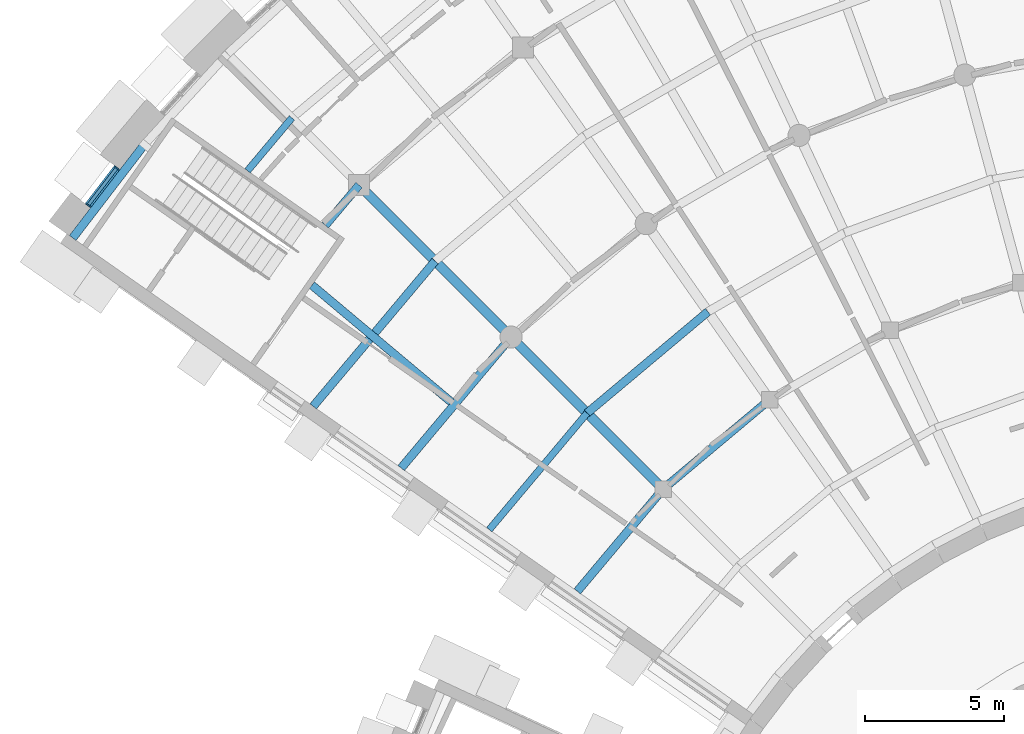
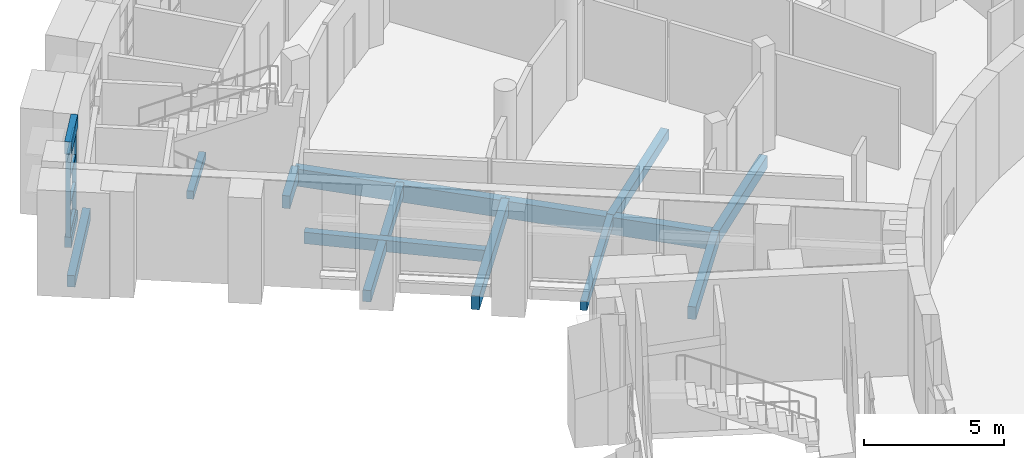
# One storey, part 22 of 85: 14 beams, 6 members, 1 element without a shape of its own.
"""IFC4 building model written with IfcOpenShell, lengths in metres."""

from ifc_helpers import new_model, si_unit, direction, frame, origin, origin_2d, place, context, subcontext, project, spatial, rectangle, extrude, material, layer, layer_set, material_profile, profile_set, type_object, element, aggregate, save


model = new_model("IFC4")

# Units and contexts
model_context = context("Model", 3, precision=1e-05, world=origin(), true_north=direction((0.0, 1.0)))
body_context = subcontext(model_context, "Body", "Model", "MODEL_VIEW")
ifc_project = project(units=[si_unit("LENGTHUNIT", "METRE"), si_unit("AREAUNIT", "SQUARE_METRE"), si_unit("VOLUMEUNIT", "CUBIC_METRE"), si_unit("PLANEANGLEUNIT", "RADIAN"), si_unit("MASSUNIT", "GRAM", prefix="KILO")], contexts=[model_context])

# Site, building, storey
site_placement = place(None, origin())
site = spatial("IfcSite", under=ifc_project, at=site_placement, CompositionType="ELEMENT")
building_placement = place(site_placement, origin())
building = spatial("IfcBuilding", under=site, at=building_placement, Name="Volute Hill Aquarium", CompositionType="ELEMENT")
storey_placement = place(building_placement, origin())
storey = spatial("IfcBuildingStorey", under=building, at=storey_placement, Name="L01", CompositionType="ELEMENT", Elevation=0.0)

# Beams
ifc_material_1 = material(Name="Concrete C35/45", Category="concrete")
ifc_material_profile_1 = material_profile(ifc_material_1, rectangle(XDim=0.300048828125, YDim=0.550048828125, at=origin_2d()), Name="RC beam 300x550")
ifc_profile_set_1 = profile_set([ifc_material_profile_1], Name="Concrete C35/45")
beam_type_1 = type_object("IfcBeamType", Name="Beam 300x550 C35/45", PredefinedType="BEAM", material=ifc_profile_set_1)
beam_1_placement = place(storey_placement, frame((-16.490234375, 23.550537109375, -0.594970703125), z_axis=(-0.766064633548, -0.642763546902, 0.0), x_axis=(0.642763546902, -0.766064633548, 0.0)))
element("IfcBeam", 1, at=beam_1_placement, inside=storey, type_object=beam_type_1, Name="bm/S6/L01/ring1.20", PredefinedType="BEAM", context=body_context, shape_type="SweptSolid", body=[
    extrude(rectangle(XDim=0.300048828125, YDim=0.550048828125, at=origin_2d()), origin(), (0.0, 0.0, 1.0), 5.011474609375),
])
beam_2_placement = place(storey_placement, frame((-20.329345703125, 20.329345703125, -0.594970703125), z_axis=(-0.642751605204, -0.766074653025, 0.0), x_axis=(0.766074653025, -0.642751605204, 0.0)))
element("IfcBeam", 2, at=beam_2_placement, inside=storey, type_object=beam_type_1, Name="bm/S6/L01/ring1.21", PredefinedType="BEAM", context=body_context, shape_type="SweptSolid", body=[
    extrude(rectangle(XDim=0.300048828125, YDim=0.550048828125, at=origin_2d()), origin(), (0.0, 0.0, 1.0), 4.810546875),
])
beam_3_placement = place(storey_placement, frame((-31.28955078125, 31.28955078125, -0.594970703125), z_axis=(-0.642771154276, -0.766058250547, 0.0), x_axis=(0.766058250547, -0.642771154276, 0.0)))
element("IfcBeam", 3, at=beam_3_placement, inside=storey, type_object=beam_type_1, Name="bm/S6/L01/ring3.31", PredefinedType="BEAM", context=body_context, shape_type="SweptSolid", body=[
    extrude(rectangle(XDim=0.300048828125, YDim=0.550048828125, at=origin_2d()), origin(), (0.0, 0.0, 1.0), 1.89111328125),
])
ifc_material_2 = material(Name="Concrete C35/45", Category="concrete")
ifc_material_profile_2 = material_profile(ifc_material_2, rectangle(XDim=0.300048828125, YDim=0.60009765625, at=origin_2d()), Name="RC beam 300x600")
ifc_profile_set_2 = profile_set([ifc_material_profile_2], Name="Concrete C35/45")
beam_type_2 = type_object("IfcBeamType", Name="Beam 300x600 C35/45", PredefinedType="BEAM", material=ifc_profile_set_2)
beam_4_placement = place(storey_placement, frame((-25.809326171875, 25.809326171875, -0.6201171875), z_axis=(-0.642803579535, -0.766031042541, 0.0), x_axis=(0.766031042541, -0.642803579535, 0.0)))
element("IfcBeam", 4, at=beam_4_placement, inside=storey, type_object=beam_type_2, Name="bm/S6/L01/ring2.26", PredefinedType="BEAM", context=body_context, shape_type="SweptSolid", body=[
    extrude(rectangle(XDim=0.300048828125, YDim=0.60009765625, at=origin_2d()), origin(), (0.0, 0.0, 1.0), 6.16162109375),
])
ifc_material_3 = material(Name="Concrete C35/45", Category="concrete")
ifc_material_profile_3 = material_profile(ifc_material_3, rectangle(XDim=0.35009765625, YDim=0.75, at=origin_2d()), Name="RC beam 350x750")
ifc_profile_set_3 = profile_set([ifc_material_profile_3], Name="Concrete C35/45")
beam_type_3 = type_object("IfcBeamType", Name="Beam 350x750 C35/45", PredefinedType="BEAM", material=ifc_profile_set_3)
beam_5_placement = place(storey_placement, frame((-20.329345703125, 20.329345703125, -0.695068359375), z_axis=(-0.707106781187, 0.707106781187, 0.0), x_axis=(-0.707106781187, -0.707106781187, 0.0)))
element("IfcBeam", 5, at=beam_5_placement, inside=storey, type_object=beam_type_3, Name="bm/S6/L01/rad4.14", PredefinedType="BEAM", context=body_context, shape_type="SweptSolid", body=[
    extrude(rectangle(XDim=0.35009765625, YDim=0.75, at=origin_2d()), origin(), (0.0, 0.0, 1.0), 7.749755859375),
])
beam_6_placement = place(storey_placement, frame((-25.809326171875, 25.809326171875, -0.695068359375), z_axis=(-0.707106781187, 0.707106781187, 0.0), x_axis=(-0.707106781187, -0.707106781187, 0.0)))
element("IfcBeam", 6, at=beam_6_placement, inside=storey, type_object=beam_type_3, Name="bm/S6/L01/rad4.15", PredefinedType="BEAM", context=body_context, shape_type="SweptSolid", body=[
    extrude(rectangle(XDim=0.35009765625, YDim=0.75, at=origin_2d()), origin(), (0.0, 0.0, 1.0), 7.750244140625),
])

# Curtain wall, members
ifc_material_4 = material(Name="Aluminium", Category="aluminium")
ifc_layer = layer(ifc_material_4, 0.25)
ifc_layer_set = layer_set([ifc_layer], Name="Curtain wall niche S6 module 1734")
curtain_wall_type = type_object("IfcCurtainWallType", Name="Curtain wall niche S6 module 1734", PredefinedType="NOTDEFINED", material=ifc_layer_set)
curtain_wall_placement = place(storey_placement, origin())
curtain_wall = element("IfcCurtainWall", 7, at=curtain_wall_placement, inside=storey, type_object=curtain_wall_type, Name="Curtain wall CW S6 L01 10", PredefinedType="NOTDEFINED")
ifc_material_5 = material(Name="Aluminium", Category="aluminium")
ifc_material_profile_4 = material_profile(ifc_material_5, rectangle(XDim=0.169921875, YDim=0.050048828125, at=origin_2d()), Name="Curtain wall mullion S6 50x170")
ifc_profile_set_4 = profile_set([ifc_material_profile_4], Name="Aluminium")
member_type_1 = type_object("IfcMemberType", Name="Curtain wall mullion S6 50x170", PredefinedType="MULLION", material=ifc_profile_set_4)
member_1_placement = place(storey_placement, frame((-40.02734375, 31.901123046875, 0.449951171875), z_axis=(0.0, 0.0, 1.0), x_axis=(0.79334910739, -0.608766945394, 0.0)))
member_1 = element("IfcMember", 8, at=member_1_placement, type_object=member_type_1, Name="CW mullion 1", PredefinedType="MULLION", context=body_context, shape_type="SweptSolid", body=[
    extrude(rectangle(XDim=0.169921875, YDim=0.050048828125, at=origin_2d()), origin(), (0.0, 0.0, 1.0), 3.60009765625),
])
member_2_placement = place(storey_placement, frame((-41.052001953125, 30.5654296875, 0.449951171875), z_axis=(0.0, 0.0, 1.0), x_axis=(0.79334910739, -0.608766945394, 0.0)))
member_2 = element("IfcMember", 9, at=member_2_placement, type_object=member_type_1, Name="CW mullion 2", PredefinedType="MULLION", context=body_context, shape_type="SweptSolid", body=[
    extrude(rectangle(XDim=0.169921875, YDim=0.050048828125, at=origin_2d()), origin(), (0.0, 0.0, 1.0), 3.60009765625),
])
ifc_material_6 = material(Name="Aluminium", Category="aluminium")
ifc_material_profile_5 = material_profile(ifc_material_6, rectangle(XDim=0.1201171875, YDim=0.050048828125, at=origin_2d()), Name="Curtain wall transom S6 50x120")
ifc_profile_set_5 = profile_set([ifc_material_profile_5], Name="Aluminium")
member_type_2 = type_object("IfcMemberType", Name="Curtain wall transom S6 50x120", PredefinedType="USERDEFINED", material=ifc_profile_set_5)
member_3_placement = place(storey_placement, frame((-40.04248046875, 31.88134765625, 0.47509765625), z_axis=(-0.608764095787, -0.793351293993, 0.0), x_axis=(0.793351293993, -0.608764095787, 0.0)))
member_3 = element("IfcMember", 10, at=member_3_placement, type_object=member_type_2, Name="CW transom 1.1", ObjectType="TRANSOM", PredefinedType="USERDEFINED", context=body_context, shape_type="SweptSolid", body=[
    extrude(rectangle(XDim=0.1201171875, YDim=0.050048828125, at=origin_2d()), origin(), (0.0, 0.0, 1.0), 1.633544921875),
])
member_4_placement = place(storey_placement, frame((-40.04248046875, 31.88134765625, 1.64990234375), z_axis=(-0.608764095787, -0.793351293993, 0.0), x_axis=(0.793351293993, -0.608764095787, 0.0)))
member_4 = element("IfcMember", 11, at=member_4_placement, type_object=member_type_2, Name="CW transom 1.2", ObjectType="TRANSOM", PredefinedType="USERDEFINED", context=body_context, shape_type="SweptSolid", body=[
    extrude(rectangle(XDim=0.1201171875, YDim=0.050048828125, at=origin_2d()), origin(), (0.0, 0.0, 1.0), 1.633544921875),
])
member_5_placement = place(storey_placement, frame((-40.04248046875, 31.88134765625, 2.85009765625), z_axis=(-0.608764095787, -0.793351293993, 0.0), x_axis=(0.793351293993, -0.608764095787, 0.0)))
member_5 = element("IfcMember", 12, at=member_5_placement, type_object=member_type_2, Name="CW transom 1.3", ObjectType="TRANSOM", PredefinedType="USERDEFINED", context=body_context, shape_type="SweptSolid", body=[
    extrude(rectangle(XDim=0.1201171875, YDim=0.050048828125, at=origin_2d()), origin(), (0.0, 0.0, 1.0), 1.633544921875),
])
member_6_placement = place(storey_placement, frame((-40.04248046875, 31.88134765625, 4.02490234375), z_axis=(-0.608764095787, -0.793351293993, 0.0), x_axis=(0.793351293993, -0.608764095787, 0.0)))
member_6 = element("IfcMember", 13, at=member_6_placement, type_object=member_type_2, Name="CW transom 1.4", ObjectType="TRANSOM", PredefinedType="USERDEFINED", context=body_context, shape_type="SweptSolid", body=[
    extrude(rectangle(XDim=0.1201171875, YDim=0.050048828125, at=origin_2d()), origin(), (0.0, 0.0, 1.0), 1.633544921875),
])
aggregate(curtain_wall, [member_1, member_2, member_3, member_4, member_5, member_6])

# Beams
ifc_material_7 = material(Name="Concrete C35/45", Category="concrete")
ifc_material_profile_6 = material_profile(ifc_material_7, rectangle(XDim=0.300048828125, YDim=0.5, at=origin_2d()), Name="RC edge beam 300x500")
ifc_profile_set_6 = profile_set([ifc_material_profile_6], Name="Concrete C35/45")
beam_type_4 = type_object("IfcBeamType", Name="Edge beam 300x500 C35/45", PredefinedType="BEAM", material=ifc_profile_set_6)
beam_7_placement = place(storey_placement, frame((-39.02978515625, 32.75, -0.570068359375), z_axis=(-0.60877080013, -0.793346149489, 0.0), x_axis=(0.793346149489, -0.60877080013, 0.0)))
element("IfcBeam", 14, at=beam_7_placement, inside=storey, type_object=beam_type_4, Name="bm/S6/L01/edgeO.51", PredefinedType="BEAM", context=body_context, shape_type="SweptSolid", body=[
    extrude(rectangle(XDim=0.300048828125, YDim=0.5, at=origin_2d()), origin(), (0.0, 0.0, 1.0), 4.24462890625),
])
ifc_material_8 = material(Name="Concrete C35/45", Category="concrete")
ifc_material_profile_7 = material_profile(ifc_material_8, rectangle(XDim=0.25, YDim=0.35009765625, at=origin_2d()), Name="RC joist 250x350")
ifc_profile_set_7 = profile_set([ifc_material_profile_7], Name="Concrete C35/45")
beam_type_5 = type_object("IfcBeamType", Name="Joist 250x350 C35/45", PredefinedType="BEAM", material=ifc_profile_set_7)
beam_8_placement = place(storey_placement, frame((-33.711181640625, 33.711181640625, -0.4951171875), z_axis=(-0.642902089518, -0.765948368556, 0.0), x_axis=(0.765948368556, -0.642902089518, 0.0)))
element("IfcBeam", 15, at=beam_8_placement, inside=storey, type_object=beam_type_5, Name="bm/S6/L01/jst20", PredefinedType="BEAM", context=body_context, shape_type="SweptSolid", body=[
    extrude(rectangle(XDim=0.25, YDim=0.35009765625, at=origin_2d()), origin(), (0.0, 0.0, 1.0), 2.488037109375),
])
ifc_material_9 = material(Name="Concrete C35/45", Category="concrete")
ifc_material_profile_8 = material_profile(ifc_material_9, rectangle(XDim=0.25, YDim=0.39990234375, at=origin_2d()), Name="RC joist 250x400")
ifc_profile_set_8 = profile_set([ifc_material_profile_8], Name="Concrete C35/45")
beam_type_6 = type_object("IfcBeamType", Name="Joist 250x400 C35/45", PredefinedType="BEAM", material=ifc_profile_set_8)
beam_9_placement = place(storey_placement, frame((-23.0693359375, 23.0693359375, -0.52001953125), z_axis=(-0.642780792417, -0.766050163436, 0.0), x_axis=(0.766050163436, -0.642780792417, 0.0)))
element("IfcBeam", 16, at=beam_9_placement, inside=storey, type_object=beam_type_6, Name="bm/S6/L01/jst10", PredefinedType="BEAM", context=body_context, shape_type="SweptSolid", body=[
    extrude(rectangle(XDim=0.25, YDim=0.39990234375, at=origin_2d()), origin(), (0.0, 0.0, 1.0), 5.486083984375),
])
ifc_material_10 = material(Name="Concrete C35/45", Category="concrete")
ifc_material_profile_9 = material_profile(ifc_material_10, rectangle(XDim=0.300048828125, YDim=0.449951171875, at=origin_2d()), Name="RC joist 300x450")
ifc_profile_set_9 = profile_set([ifc_material_profile_9], Name="Concrete C35/45")
beam_type_7 = type_object("IfcBeamType", Name="Joist 300x450 C35/45", PredefinedType="BEAM", material=ifc_profile_set_9)
beam_10_placement = place(storey_placement, frame((-18.712890625, 26.724853515625, -0.544921875), z_axis=(-0.766042198561, -0.642790284637, 0.0), x_axis=(0.642790284637, -0.766042198561, 0.0)))
element("IfcBeam", 17, at=beam_10_placement, inside=storey, type_object=beam_type_7, Name="bm/S6/L01/jst9", PredefinedType="BEAM", context=body_context, shape_type="SweptSolid", body=[
    extrude(rectangle(XDim=0.300048828125, YDim=0.449951171875, at=origin_2d()), origin(), (0.0, 0.0, 1.0), 5.68701171875),
])
ifc_material_11 = material(Name="Concrete C35/45", Category="concrete")
ifc_material_profile_10 = material_profile(ifc_material_11, rectangle(XDim=0.300048828125, YDim=0.5, at=origin_2d()), Name="RC joist 300x500")
ifc_profile_set_10 = profile_set([ifc_material_profile_10], Name="Concrete C35/45")
beam_type_8 = type_object("IfcBeamType", Name="Joist 300x500 C35/45", PredefinedType="BEAM", material=ifc_profile_set_10)
beam_11_placement = place(storey_placement, frame((-28.54931640625, 28.54931640625, -0.570068359375), z_axis=(-0.642800909983, -0.766033282648, 0.0), x_axis=(0.766033282648, -0.642800909983, 0.0)))
element("IfcBeam", 18, at=beam_11_placement, inside=storey, type_object=beam_type_8, Name="bm/S6/L01/jst15", PredefinedType="BEAM", context=body_context, shape_type="SweptSolid", body=[
    extrude(rectangle(XDim=0.300048828125, YDim=0.5, at=origin_2d()), origin(), (0.0, 0.0, 1.0), 6.8369140625),
])
beam_12_placement = place(storey_placement, frame((-27.960693359375, 23.461669921875, -0.570068359375), z_axis=(-0.766030833177, 0.642803829035, 0.0), x_axis=(-0.642803829035, -0.766030833177, 0.0)))
element("IfcBeam", 19, at=beam_12_placement, inside=storey, type_object=beam_type_8, Name="bm/S6/L01/rjst5", PredefinedType="BEAM", context=body_context, shape_type="SweptSolid", body=[
    extrude(rectangle(XDim=0.300048828125, YDim=0.5, at=origin_2d()), origin(), (0.0, 0.0, 1.0), 6.563720703125),
])
ifc_material_12 = material(Name="Concrete C35/45", Category="concrete")
ifc_material_profile_11 = material_profile(ifc_material_12, rectangle(XDim=0.25, YDim=0.550048828125, at=origin_2d()), Name="RC beam 250x550")
ifc_profile_set_11 = profile_set([ifc_material_profile_11], Name="Concrete C35/45")
beam_type_9 = type_object("IfcBeamType", Name="Niche head beam RC 250x550 C35/45", PredefinedType="BEAM", material=ifc_profile_set_11)
beam_13_placement = place(storey_placement, frame((-40.011962890625, 31.9208984375, 4.324951171875), z_axis=(-0.608818785139, -0.79330932609, 0.0), x_axis=(0.79330932609, -0.608818785139, 0.0)))
element("IfcBeam", 20, at=beam_13_placement, inside=storey, type_object=beam_type_9, Name="Niche head beam OWB S6 L01 10", PredefinedType="BEAM", context=body_context, shape_type="SweptSolid", body=[
    extrude(rectangle(XDim=0.25, YDim=0.550048828125, at=origin_2d()), origin(), (0.0, 0.0, 1.0), 1.733642578125),
])
ifc_material_13 = material(Name="Concrete C35/45", Category="concrete")
ifc_material_profile_12 = material_profile(ifc_material_13, rectangle(XDim=0.25, YDim=0.449951171875, at=origin_2d()), Name="RC beam 250x450")
ifc_profile_set_12 = profile_set([ifc_material_profile_12], Name="Concrete C35/45")
beam_type_10 = type_object("IfcBeamType", Name="Niche sill beam RC 250x450 C35/45", PredefinedType="BEAM", material=ifc_profile_set_12)
beam_14_placement = place(storey_placement, frame((-40.011962890625, 31.9208984375, 0.22509765625), z_axis=(-0.608818785139, -0.79330932609, 0.0), x_axis=(0.79330932609, -0.608818785139, 0.0)))
element("IfcBeam", 21, at=beam_14_placement, inside=storey, type_object=beam_type_10, Name="Niche sill beam OWB S6 L01 10", PredefinedType="BEAM", context=body_context, shape_type="SweptSolid", body=[
    extrude(rectangle(XDim=0.25, YDim=0.449951171875, at=origin_2d()), origin(), (0.0, 0.0, 1.0), 1.733642578125),
])

save(model, "model.ifc")
